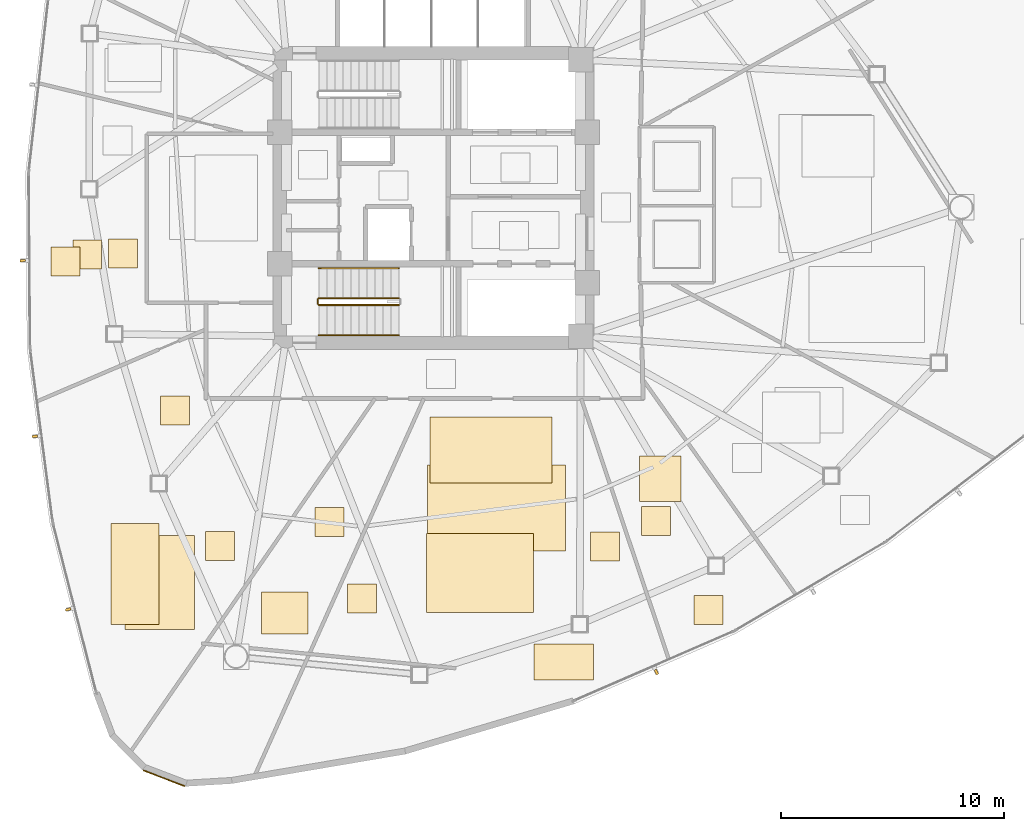
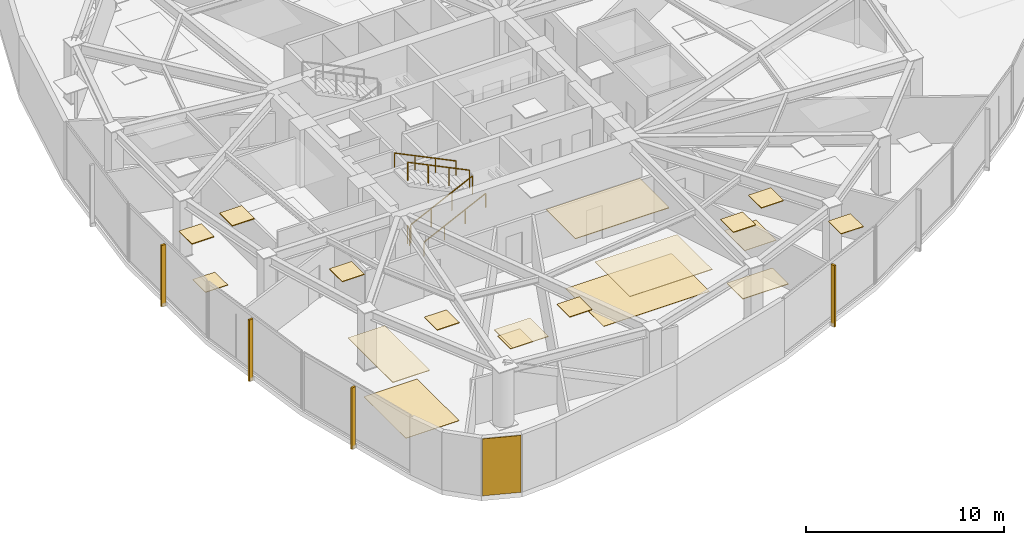
# One storey, part 15 of 18: 19 coverings, 5 railings, 4 shading devices.
"""IFC4 building model written with IfcOpenShell, lengths in metres."""

from ifc_helpers import new_model, si_unit, direction, frame, origin, origin_2d, place, context, subcontext, project, spatial, polyline, rectangle, outline, extrude, source, transform, mapped, material, layer, layer_set, type_object, type_shapes, element, save


model = new_model("IFC4")

# Units and contexts
model_context = context("Model", 3, precision=1e-05, world=origin(), true_north=direction((0.0, 1.0)))
body_context = subcontext(model_context, "Body", "Model", "MODEL_VIEW")
ifc_project = project(units=[si_unit("LENGTHUNIT", "METRE"), si_unit("AREAUNIT", "SQUARE_METRE"), si_unit("VOLUMEUNIT", "CUBIC_METRE"), si_unit("PLANEANGLEUNIT", "RADIAN"), si_unit("MASSUNIT", "GRAM", prefix="KILO")], contexts=[model_context])

# Site, building, storey
site_placement = place(None, origin())
site = spatial("IfcSite", under=ifc_project, at=site_placement, CompositionType="ELEMENT")
building_placement = place(site_placement, origin())
building = spatial("IfcBuilding", under=site, at=building_placement, Name="Tavelor Broadcast Tower", CompositionType="ELEMENT")
storey_placement = place(building_placement, frame((0.0, 0.0, 146.39990234375)))
storey = spatial("IfcBuildingStorey", under=building, at=storey_placement, Name="L34", CompositionType="ELEMENT", Elevation=146.39990234375)

# Covering
ifc_material_1 = material(Name="Copper-Bronze Anodized Aluminium", Category="aluminium")
ifc_layer_1 = layer(ifc_material_1, 0.050048828125)
ifc_layer_set_1 = layer_set([ifc_layer_1], Name="Copper-Bronze Anodized Aluminium")
covering_type_1 = type_object("IfcCoveringType", Name="Champagne-Bronze Corner Pier Metal Cladding 50 mm", PredefinedType="CLADDING", material=ifc_layer_set_1)
covering_1_placement = place(storey_placement, frame((37.90576171875, 18.9697265625, 0.02001953125), z_axis=(0.0, 0.0, 1.0), x_axis=(0.934515431196, -0.355922616389, 0.0)))
element("IfcCovering", 1, at=covering_1_placement, inside=storey, type_object=covering_type_1, Name="L34 Champagne-Bronze Corner Cladding 13", PredefinedType="CLADDING", context=body_context, shape_type="SweptSolid", body=[
    extrude(rectangle(XDim=1.97607421875, YDim=0.050048828125, at=origin_2d()), origin(), (0.0, 0.0, 1.0), 3.510009765625),
])

# Railings
ifc_material_2 = material(Name="Steel S355", Category="steel")
railing_type_1 = type_object("IfcRailingType", Name="Continuous Brushed Stainless Handrail 900 mm", PredefinedType="HANDRAIL", material=ifc_material_2)
railing_1_placement = place(storey_placement, frame((44.85009765625, 38.85009765625, 0.175048828125)))
element("IfcRailing", 2, at=railing_1_placement, inside=storey, type_object=railing_type_1, Name="L34 ST2 stair handrail 1", PredefinedType="HANDRAIL", context=body_context, shape_type="SweptSolid", body=[
    extrude(rectangle(XDim=0.048095703125, YDim=0.048095703125, at=origin_2d()), frame((0.0, 0.0, 0.8759765625), z_axis=(0.899360859046, 0.0, 0.437207096483), x_axis=(0.0, 1.0, 0.0)), (0.0, 0.0, 1.0), 4.002685546875),
    extrude(rectangle(XDim=0.0419921875, YDim=0.0419921875, at=origin_2d()), origin(), (0.0, 0.0, 1.0), 0.851806640625),
    extrude(rectangle(XDim=0.0419921875, YDim=0.0419921875, at=origin_2d()), frame((1.199951171875, 0.0, 0.583251953125)), (0.0, 0.0, 1.0), 0.851806640625),
    extrude(rectangle(XDim=0.0419921875, YDim=0.0419921875, at=origin_2d()), frame((2.39990234375, 0.0, 1.166748046875)), (0.0, 0.0, 1.0), 0.851806640625),
    extrude(rectangle(XDim=0.0419921875, YDim=0.0419921875, at=origin_2d()), frame((3.599853515625, 0.0, 1.75)), (0.0, 0.0, 1.0), 0.851806640625),
])
railing_2_placement = place(storey_placement, frame((48.449951171875, 41.85009765625, 2.10009765625)))
element("IfcRailing", 3, at=railing_2_placement, inside=storey, type_object=railing_type_1, Name="L34 ST2 stair handrail 2", PredefinedType="HANDRAIL", context=body_context, shape_type="SweptSolid", body=[
    extrude(rectangle(XDim=0.048095703125, YDim=0.048095703125, at=origin_2d()), frame((0.0, 0.0, 0.8759765625), z_axis=(-0.899360859046, 0.0, 0.437207096483), x_axis=(0.0, -1.0, 0.0)), (0.0, 0.0, 1.0), 4.002685546875),
    extrude(rectangle(XDim=0.0419921875, YDim=0.0419921875, at=origin_2d()), origin(), (0.0, 0.0, 1.0), 0.851806640625),
    extrude(rectangle(XDim=0.0419921875, YDim=0.0419921875, at=origin_2d()), frame((-1.199951171875, 0.0, 0.583251953125)), (0.0, 0.0, 1.0), 0.851806640625),
    extrude(rectangle(XDim=0.0419921875, YDim=0.0419921875, at=origin_2d()), frame((-2.39990234375, 0.0, 1.166748046875)), (0.0, 0.0, 1.0), 0.851806640625),
    extrude(rectangle(XDim=0.0419921875, YDim=0.0419921875, at=origin_2d()), frame((-3.599853515625, 0.0, 1.75)), (0.0, 0.0, 1.0), 0.851806640625),
])

# Coverings
ifc_material_3 = material(Name="Acoustic Nylon Carpet Tile")
ifc_layer_2 = layer(ifc_material_3, 0.02001953125)
ifc_layer_set_2 = layer_set([ifc_layer_2], Name="Acoustic Nylon Carpet Tile")
covering_type_2 = type_object("IfcCoveringType", Name="Heavy-Duty Acoustic Broadcast Carpet Tile 20 mm", PredefinedType="FLOORING", material=ifc_layer_set_2)
covering_2_placement = place(storey_placement, origin())
element("IfcCovering", 4, at=covering_2_placement, inside=storey, type_object=covering_type_2, Name="L34 Broadcast Floor Finish 0487", PredefinedType="FLOORING", context=body_context, shape_type="SweptSolid", body=[
    extrude(outline(polyline([(59.23779296875, 31.376220703125), (61.0966796875, 31.376220703125), (61.0966796875, 33.431884765625), (59.23779296875, 33.431884765625), (59.23779296875, 31.376220703125)])), origin(), (0.0, 0.0, 1.0), 0.02001953125),
])
covering_3_placement = place(storey_placement, origin())
element("IfcCovering", 5, at=covering_3_placement, inside=storey, type_object=covering_type_2, Name="L34 Broadcast Floor Finish 0488", PredefinedType="FLOORING", context=body_context, shape_type="SweptSolid", body=[
    extrude(outline(polyline([(49.73876953125, 29.16357421875), (55.91015625, 29.16357421875), (55.91015625, 33.01416015625), (49.73876953125, 33.01416015625), (49.73876953125, 29.16357421875)])), origin(), (0.0, 0.0, 1.0), 0.02001953125),
])
covering_4_placement = place(storey_placement, origin())
element("IfcCovering", 6, at=covering_4_placement, inside=storey, type_object=covering_type_2, Name="L34 Broadcast Floor Finish 0489", PredefinedType="FLOORING", context=body_context, shape_type="SweptSolid", body=[
    extrude(outline(polyline([(44.67529296875, 29.805908203125), (45.975341796875, 29.805908203125), (45.975341796875, 31.10595703125), (44.67529296875, 31.10595703125), (44.67529296875, 29.805908203125)])), origin(), (0.0, 0.0, 1.0), 0.02001953125),
])
covering_5_placement = place(storey_placement, origin())
element("IfcCovering", 7, at=covering_5_placement, inside=storey, type_object=covering_type_2, Name="L34 Broadcast Floor Finish 0490", PredefinedType="FLOORING", context=body_context, shape_type="SweptSolid", body=[
    extrude(outline(polyline([(36.15283203125, 25.631103515625), (39.265869140625, 25.631103515625), (39.265869140625, 29.8701171875), (36.15283203125, 29.8701171875), (36.15283203125, 25.631103515625)])), origin(), (0.0, 0.0, 1.0), 0.02001953125),
])
ifc_material_4 = material(Name="Acoustic Hardwood Studio Flooring", Category="wood")
ifc_layer_3 = layer(ifc_material_4, 0.034912109375)
ifc_layer_set_3 = layer_set([ifc_layer_3], Name="Acoustic Hardwood Studio Flooring")
covering_type_3 = type_object("IfcCoveringType", Name="Isolated Studio Acoustic Elastomeric Floor Finish 35 mm", PredefinedType="FLOORING", material=ifc_layer_set_3)
covering_6_placement = place(storey_placement, origin())
element("IfcCovering", 8, at=covering_6_placement, inside=storey, type_object=covering_type_3, Name="L34 Broadcast Floor Finish 0491", PredefinedType="FLOORING", context=body_context, shape_type="SweptSolid", body=[
    extrude(outline(polyline([(33.8134765625, 41.80810546875), (35.113525390625, 41.80810546875), (35.113525390625, 43.108154296875), (33.8134765625, 43.108154296875), (33.8134765625, 41.80810546875)])), origin(), (0.0, 0.0, 1.0), 0.03515625),
])
ifc_material_5 = material(Name="Acoustic Perforated Timber Baffle", Category="wood")
ifc_layer_4 = layer(ifc_material_5, 0.054931640625)
ifc_layer_set_4 = layer_set([ifc_layer_4], Name="Acoustic Perforated Timber Baffle")
covering_type_4 = type_object("IfcCoveringType", Name="Micro-Perforated Acoustic Baffle Studio Ceiling 55 mm", PredefinedType="CEILING", material=ifc_layer_set_4)
covering_7_placement = place(storey_placement, frame((0.0, 0.0, 3.4951171875)))
element("IfcCovering", 9, at=covering_7_placement, inside=storey, type_object=covering_type_4, Name="L34 Suspended Acoustic Ceiling 1405", PredefinedType="CEILING", context=body_context, shape_type="SweptSolid", body=[
    extrude(outline(polyline([(32.834716796875, 41.49951171875), (34.134765625, 41.49951171875), (34.134765625, 42.799560546875), (32.834716796875, 42.799560546875), (32.834716796875, 41.49951171875)])), origin(), (0.0, 0.0, 1.0), 0.054931640625),
])
covering_8_placement = place(storey_placement, frame((0.0, 0.0, 3.4951171875)))
element("IfcCovering", 10, at=covering_8_placement, inside=storey, type_object=covering_type_4, Name="L34 Suspended Acoustic Ceiling 1407", PredefinedType="CEILING", context=body_context, shape_type="SweptSolid", body=[
    extrude(outline(polyline([(35.412109375, 41.8603515625), (36.712158203125, 41.8603515625), (36.712158203125, 43.160400390625), (35.412109375, 43.160400390625), (35.412109375, 41.8603515625)])), origin(), (0.0, 0.0, 1.0), 0.054931640625),
])

# Railings
railing_type_2 = type_object("IfcRailingType", Name="Stairwell Steel Safety Guardrail 1150 mm", PredefinedType="GUARDRAIL", material=ifc_material_2)
railing_3_placement = place(storey_placement, frame((44.85009765625, 40.199951171875, 0.175048828125)))
element("IfcRailing", 11, at=railing_3_placement, inside=storey, type_object=railing_type_2, Name="L34 ST2 stair guard 1", PredefinedType="GUARDRAIL", context=body_context, shape_type="SweptSolid", body=[
    extrude(rectangle(XDim=0.048095703125, YDim=0.048095703125, at=origin_2d()), frame((0.0, 0.0, 1.1259765625), z_axis=(0.899360859046, 0.0, 0.437207096483), x_axis=(0.0, 1.0, 0.0)), (0.0, 0.0, 1.0), 4.002685546875),
    extrude(rectangle(XDim=0.0419921875, YDim=0.0419921875, at=origin_2d()), origin(), (0.0, 0.0, 1.0), 1.101806640625),
    extrude(rectangle(XDim=0.0419921875, YDim=0.0419921875, at=origin_2d()), frame((1.199951171875, 0.0, 0.583251953125)), (0.0, 0.0, 1.0), 1.101806640625),
    extrude(rectangle(XDim=0.0419921875, YDim=0.0419921875, at=origin_2d()), frame((2.39990234375, 0.0, 1.166748046875)), (0.0, 0.0, 1.0), 1.101806640625),
    extrude(rectangle(XDim=0.0419921875, YDim=0.0419921875, at=origin_2d()), frame((3.599853515625, 0.0, 1.75)), (0.0, 0.0, 1.0), 1.101806640625),
])
railing_4_placement = place(storey_placement, frame((48.449951171875, 40.5, 2.10009765625)))
element("IfcRailing", 12, at=railing_4_placement, inside=storey, type_object=railing_type_2, Name="L34 ST2 stair guard 3", PredefinedType="GUARDRAIL", context=body_context, shape_type="SweptSolid", body=[
    extrude(rectangle(XDim=0.048095703125, YDim=0.048095703125, at=origin_2d()), frame((0.0, 0.0, 1.1259765625), z_axis=(-0.899360859046, 0.0, 0.437207096483), x_axis=(0.0, -1.0, 0.0)), (0.0, 0.0, 1.0), 4.002685546875),
    extrude(rectangle(XDim=0.0419921875, YDim=0.0419921875, at=origin_2d()), origin(), (0.0, 0.0, 1.0), 1.101806640625),
    extrude(rectangle(XDim=0.0419921875, YDim=0.0419921875, at=origin_2d()), frame((-1.199951171875, 0.0, 0.583251953125)), (0.0, 0.0, 1.0), 1.101806640625),
    extrude(rectangle(XDim=0.0419921875, YDim=0.0419921875, at=origin_2d()), frame((-2.39990234375, 0.0, 1.166748046875)), (0.0, 0.0, 1.0), 1.101806640625),
    extrude(rectangle(XDim=0.0419921875, YDim=0.0419921875, at=origin_2d()), frame((-3.599853515625, 0.0, 1.75)), (0.0, 0.0, 1.0), 1.101806640625),
])
railing_5_placement = place(storey_placement, frame((44.800048828125, 40.25, 0.0)))
element("IfcRailing", 13, at=railing_5_placement, inside=storey, type_object=railing_type_2, Name="L34 ST2 stair guard 4", PredefinedType="GUARDRAIL", context=body_context, shape_type="SweptSolid", body=[
    extrude(rectangle(XDim=0.048095703125, YDim=0.048095703125, at=origin_2d()), frame((0.0, 0.0, 1.1259765625), z_axis=(0.0, 1.0, 0.0), x_axis=(-1.0, 0.0, 0.0)), (0.0, 0.0, 1.0), 0.199951171875),
    extrude(rectangle(XDim=0.0419921875, YDim=0.0419921875, at=origin_2d()), origin(), (0.0, 0.0, 1.0), 1.101806640625),
    extrude(rectangle(XDim=0.0419921875, YDim=0.0419921875, at=origin_2d()), frame((0.0, 0.199951171875, 0.0)), (0.0, 0.0, 1.0), 1.101806640625),
])

# Coverings
ifc_material_6 = material(Name="Acoustic Mineral Fibre Tile")
ifc_layer_5 = layer(ifc_material_6, 0.0400390625)
ifc_layer_set_5 = layer_set([ifc_layer_5], Name="Acoustic Mineral Fibre Tile")
covering_type_5 = type_object("IfcCoveringType", Name="Suspended Acoustic Mineral-Fibre Office Ceiling 40 mm", PredefinedType="CEILING", material=ifc_layer_set_5)
covering_9_placement = place(storey_placement, frame((0.0, 0.0, 3.510009765625)))
element("IfcCovering", 14, at=covering_9_placement, inside=storey, type_object=covering_type_5, Name="L34 Suspended Acoustic Ceiling 1394", PredefinedType="CEILING", context=body_context, shape_type="SweptSolid", body=[
    extrude(outline(polyline([(61.67919921875, 25.864501953125), (62.97900390625, 25.864501953125), (62.97900390625, 27.16455078125), (61.67919921875, 27.16455078125), (61.67919921875, 25.864501953125)])), origin(), (0.0, 0.0, 1.0), 0.0400390625),
])
covering_10_placement = place(storey_placement, frame((0.0, 0.0, 3.510009765625)))
element("IfcCovering", 15, at=covering_10_placement, inside=storey, type_object=covering_type_5, Name="L34 Suspended Acoustic Ceiling 1395", PredefinedType="CEILING", context=body_context, shape_type="SweptSolid", body=[
    extrude(outline(polyline([(59.330810546875, 29.861083984375), (60.630859375, 29.861083984375), (60.630859375, 31.160888671875), (59.330810546875, 31.160888671875), (59.330810546875, 29.861083984375)])), origin(), (0.0, 0.0, 1.0), 0.0400390625),
])
covering_11_placement = place(storey_placement, frame((0.0, 0.0, 3.510009765625)))
element("IfcCovering", 16, at=covering_11_placement, inside=storey, type_object=covering_type_5, Name="L34 Suspended Acoustic Ceiling 1396", PredefinedType="CEILING", context=body_context, shape_type="SweptSolid", body=[
    extrude(outline(polyline([(54.515380859375, 23.385009765625), (57.171630859375, 23.385009765625), (57.171630859375, 24.999755859375), (54.515380859375, 24.999755859375), (54.515380859375, 23.385009765625)])), origin(), (0.0, 0.0, 1.0), 0.0400390625),
])
covering_12_placement = place(storey_placement, frame((0.0, 0.0, 3.510009765625)))
element("IfcCovering", 17, at=covering_12_placement, inside=storey, type_object=covering_type_5, Name="L34 Suspended Acoustic Ceiling 1397", PredefinedType="CEILING", context=body_context, shape_type="SweptSolid", body=[
    extrude(outline(polyline([(49.67578125, 26.414794921875), (54.47998046875, 26.414794921875), (54.47998046875, 29.953369140625), (49.67578125, 29.953369140625), (49.67578125, 26.414794921875)])), origin(), (0.0, 0.0, 1.0), 0.0400390625),
])
covering_13_placement = place(storey_placement, frame((0.0, 0.0, 3.510009765625)))
element("IfcCovering", 18, at=covering_13_placement, inside=storey, type_object=covering_type_5, Name="L34 Suspended Acoustic Ceiling 1398", PredefinedType="CEILING", context=body_context, shape_type="SweptSolid", body=[
    extrude(outline(polyline([(46.150146484375, 26.382080078125), (47.4501953125, 26.382080078125), (47.4501953125, 27.681884765625), (46.150146484375, 27.681884765625), (46.150146484375, 26.382080078125)])), origin(), (0.0, 0.0, 1.0), 0.0400390625),
])
covering_14_placement = place(storey_placement, frame((0.0, 0.0, 3.510009765625)))
element("IfcCovering", 19, at=covering_14_placement, inside=storey, type_object=covering_type_5, Name="L34 Suspended Acoustic Ceiling 1399", PredefinedType="CEILING", context=body_context, shape_type="SweptSolid", body=[
    extrude(outline(polyline([(49.846435546875, 32.21240234375), (55.317138671875, 32.21240234375), (55.317138671875, 35.176513671875), (49.846435546875, 35.176513671875), (49.846435546875, 32.21240234375)])), origin(), (0.0, 0.0, 1.0), 0.0400390625),
])
covering_15_placement = place(storey_placement, frame((0.0, 0.0, 3.510009765625)))
element("IfcCovering", 20, at=covering_15_placement, inside=storey, type_object=covering_type_5, Name="L34 Suspended Acoustic Ceiling 1400", PredefinedType="CEILING", context=body_context, shape_type="SweptSolid", body=[
    extrude(outline(polyline([(57.042724609375, 28.716796875), (58.3427734375, 28.716796875), (58.3427734375, 30.016845703125), (57.042724609375, 30.016845703125), (57.042724609375, 28.716796875)])), origin(), (0.0, 0.0, 1.0), 0.0400390625),
])
covering_16_placement = place(storey_placement, frame((0.0, 0.0, 3.510009765625)))
element("IfcCovering", 21, at=covering_16_placement, inside=storey, type_object=covering_type_5, Name="L34 Suspended Acoustic Ceiling 1401", PredefinedType="CEILING", context=body_context, shape_type="SweptSolid", body=[
    extrude(outline(polyline([(42.2841796875, 25.443115234375), (44.36474609375, 25.443115234375), (44.36474609375, 27.32080078125), (42.2841796875, 27.32080078125), (42.2841796875, 25.443115234375)])), origin(), (0.0, 0.0, 1.0), 0.0400390625),
])
covering_17_placement = place(storey_placement, frame((0.0, 0.0, 3.510009765625)))
element("IfcCovering", 22, at=covering_17_placement, inside=storey, type_object=covering_type_5, Name="L34 Suspended Acoustic Ceiling 1402", PredefinedType="CEILING", context=body_context, shape_type="SweptSolid", body=[
    extrude(outline(polyline([(35.52978515625, 25.856201171875), (37.679931640625, 25.856201171875), (37.679931640625, 30.393798828125), (35.52978515625, 30.393798828125), (35.52978515625, 25.856201171875)])), origin(), (0.0, 0.0, 1.0), 0.0400390625),
])
covering_18_placement = place(storey_placement, frame((0.0, 0.0, 3.510009765625)))
element("IfcCovering", 23, at=covering_18_placement, inside=storey, type_object=covering_type_5, Name="L34 Suspended Acoustic Ceiling 1403", PredefinedType="CEILING", context=body_context, shape_type="SweptSolid", body=[
    extrude(outline(polyline([(37.751220703125, 34.8251953125), (39.051025390625, 34.8251953125), (39.051025390625, 36.125244140625), (37.751220703125, 36.125244140625), (37.751220703125, 34.8251953125)])), origin(), (0.0, 0.0, 1.0), 0.0400390625),
])
covering_19_placement = place(storey_placement, frame((0.0, 0.0, 3.510009765625)))
element("IfcCovering", 24, at=covering_19_placement, inside=storey, type_object=covering_type_5, Name="L34 Suspended Acoustic Ceiling 1404", PredefinedType="CEILING", context=body_context, shape_type="SweptSolid", body=[
    extrude(outline(polyline([(39.7783203125, 28.739990234375), (41.078369140625, 28.739990234375), (41.078369140625, 30.0400390625), (39.7783203125, 30.0400390625), (39.7783203125, 28.739990234375)])), origin(), (0.0, 0.0, 1.0), 0.0400390625),
])

# Shading devices
ifc_material_7 = material(Name="Kiln-Fired Glazed Terracotta", Category="masonry")
shading_device_type = type_object("IfcShadingDeviceType", Name="Extruded Terracotta Baguette Sun-Screen 110x240", PredefinedType="JALOUSIE", material=ifc_material_7)
shared_shape = source(origin(), body_context, "Body", "SweptSolid", [
    extrude(rectangle(XDim=0.110107421875, YDim=0.239990234375, at=origin_2d()), origin(), (0.0, 0.0, 1.0), 3.7900390625),
])
type_shapes(shading_device_type, [shared_shape])
for number, where, z_axis, x_axis, name in (
    (25, (31.56640625, 42.19580078125, -0.260009765625), (0.0, 0.0, 1.0), (0.008377482415, -0.999964908278, 0.0), "L34 Terracotta Baguette Fin 338"),
    (26, (32.111328125, 34.307373046875, -0.260009765625), (0.0, 0.0, 1.0), (0.129314816705, -0.991603589233, 0.0), "L34 Terracotta Baguette Fin 339"),
    (27, (33.606689453125, 26.542724609375, -0.260009765625), (0.0, 0.0, 1.0), (0.248351772716, -0.968669911264, 0.0), "L34 Terracotta Baguette Fin 340"),
    (28, (60.0, 23.730712890625, -0.260009765625), (0.0, 0.0, 1.0), (0.916920828835, 0.39906915898, 0.0), "L34 Terracotta Baguette Fin 341"),
):
    element("IfcShadingDevice", number, at=place(storey_placement, frame(where, z_axis=z_axis, x_axis=x_axis)), inside=storey, type_object=shading_device_type, Name=name, PredefinedType="JALOUSIE", context=body_context, shape_type="MappedRepresentation", body=[
        mapped(shared_shape, transform((0.0, 0.0, 0.0), scale=1.0)),
    ])

save(model, "model.ifc")
